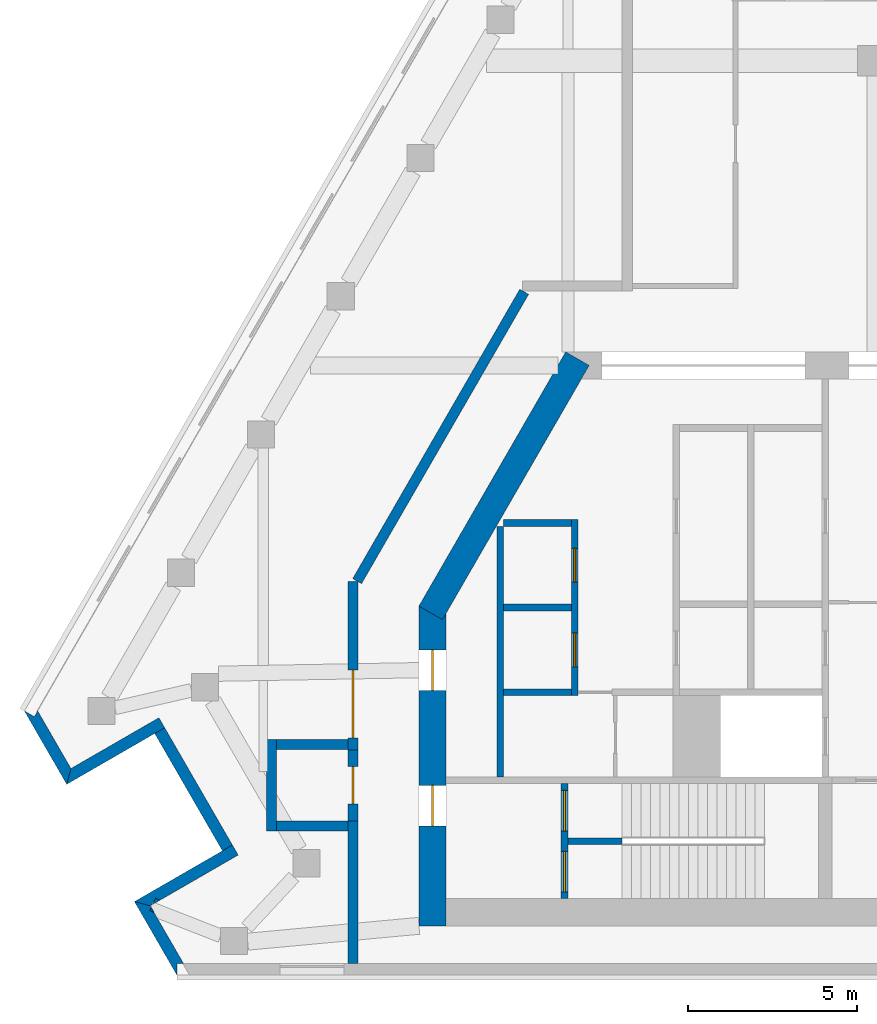
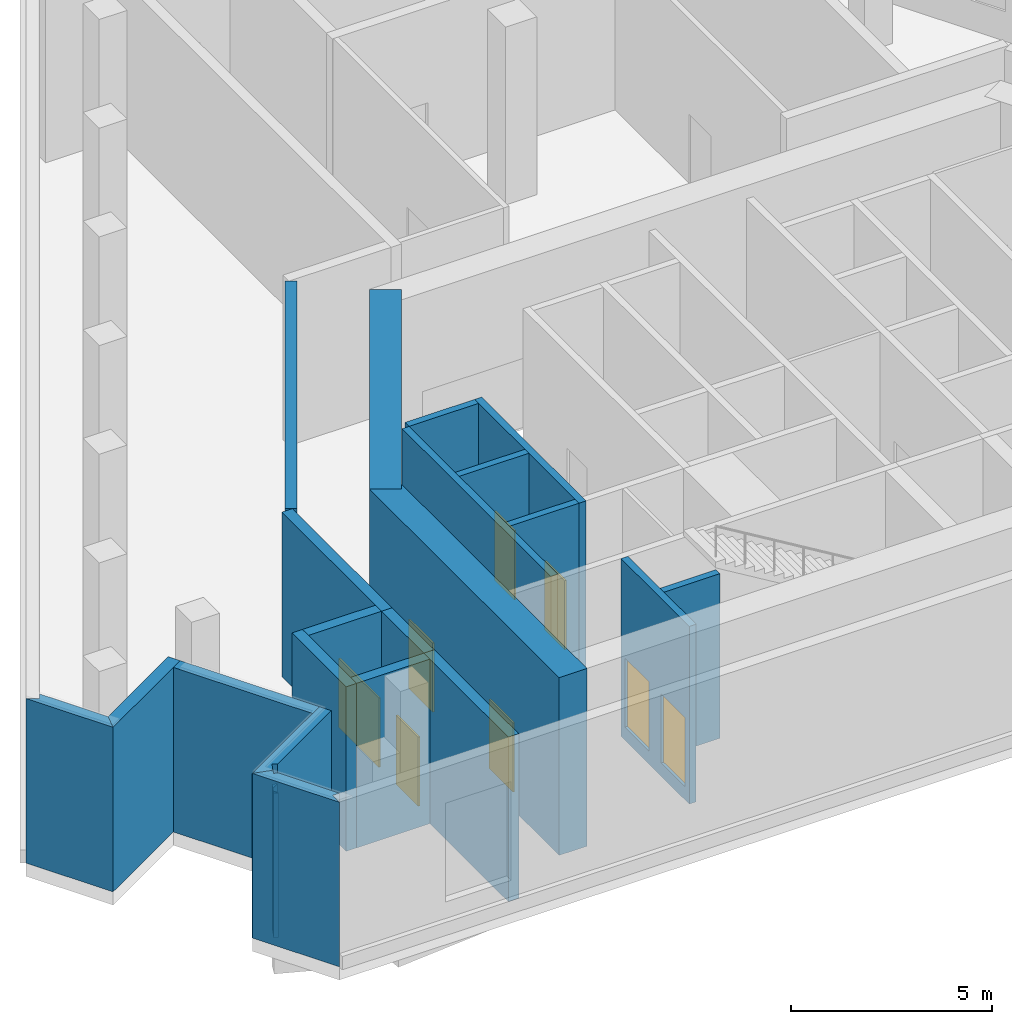
# One storey, part 2 of 8: 23 walls, 8 doors, 8 openings.
"""IFC4 building model written with IfcOpenShell, lengths in metres."""

from ifc_helpers import new_model, si_unit, direction, frame, frame_2d, origin, place, context, subcontext, project, spatial, polyline, rectangle, outline, extrude, material, layer, layer_set, type_object, element, fill, save


model = new_model("IFC4")

# Units and contexts
model_context = context("Model", 3, precision=1e-05, world=origin(), true_north=direction((0.0, 1.0)))
body_context = subcontext(model_context, "Body", "Model", "MODEL_VIEW")
ifc_project = project(units=[si_unit("LENGTHUNIT", "METRE"), si_unit("AREAUNIT", "SQUARE_METRE"), si_unit("VOLUMEUNIT", "CUBIC_METRE"), si_unit("PLANEANGLEUNIT", "RADIAN"), si_unit("MASSUNIT", "GRAM", prefix="KILO")], contexts=[model_context])

# Site, building, storey
site_placement = place(None, origin())
site = spatial("IfcSite", under=ifc_project, at=site_placement, CompositionType="ELEMENT")
building_placement = place(site_placement, origin())
building = spatial("IfcBuilding", under=site, at=building_placement, Name="Fogline Exchange Tower", CompositionType="ELEMENT")
storey_placement = place(building_placement, frame((0.0, 0.0, 304.5)))
storey = spatial("IfcBuildingStorey", under=building, at=storey_placement, Name="L69", CompositionType="ELEMENT", Elevation=304.5)

# Walls
ifc_material_1 = material(Name="Concrete C40", Category="concrete")
ifc_layer_1 = layer(ifc_material_1, 0.199951171875)
ifc_layer_set_1 = layer_set([ifc_layer_1], Name="CW20")
wall_type_1 = type_object("IfcWallType", Name="CW20", PredefinedType="SOLIDWALL", material=ifc_layer_set_1)
wall_1_placement = place(storey_placement, frame((-11.0, 5.85009765625, 0.0), z_axis=(0.0, 0.0, 1.0), x_axis=(0.0, 1.0, 0.0)))
element("IfcWall", 1, at=wall_1_placement, inside=storey, type_object=wall_type_1, Name="Service room wall", PredefinedType="SOLIDWALL", context=body_context, shape_type="SweptSolid", body=[
    extrude(rectangle(XDim=7.39990234375, YDim=0.199951171875, at=frame_2d((3.699951171875, 0.0))), origin(), (0.0, 0.0, 1.0), 5.0),
])
wall_2_placement = place(storey_placement, frame((-10.89990234375, 10.85009765625, 0.0), z_axis=(0.0, 0.0, 1.0), x_axis=(1.0, 0.0, 0.0)))
element("IfcWall", 2, at=wall_2_placement, inside=storey, type_object=wall_type_1, Name="Service room wall", PredefinedType="SOLIDWALL", context=body_context, shape_type="SweptSolid", body=[
    extrude(rectangle(XDim=2.0, YDim=0.199951171875, at=frame_2d((1.0, 0.0))), origin(), (0.0, 0.0, 1.0), 5.0),
])
ifc_layer_2 = layer(ifc_material_1, 0.199951171875)
ifc_layer_set_2 = layer_set([ifc_layer_2], Name="CW20B")
wall_type_2 = type_object("IfcWallType", Name="CW20B", PredefinedType="SOLIDWALL", material=ifc_layer_set_2)
wall_3_placement = place(storey_placement, frame((-9.0, 3.949951171875, 0.0), z_axis=(0.0, 0.0, 1.0), x_axis=(1.0, 0.0, 0.0)))
element("IfcWall", 3, at=wall_3_placement, inside=storey, type_object=wall_type_2, Name="Stair separation wall", PredefinedType="SOLIDWALL", context=body_context, shape_type="SweptSolid", body=[
    extrude(rectangle(XDim=1.60009765625, YDim=0.199951171875, at=frame_2d((0.800048828125, 0.0))), origin(), (0.0, 0.0, 1.0), 5.0),
])

# Wall, openings, doors
ifc_layer_3 = layer(ifc_material_1, 0.199951171875)
ifc_layer_set_3 = layer_set([ifc_layer_3], Name="CW20R")
wall_type_3 = type_object("IfcWallType", Name="CW20R", PredefinedType="SOLIDWALL", material=ifc_layer_set_3)
wall_4_placement = place(storey_placement, frame((-9.10009765625, 2.25, -0.39990234375), z_axis=(0.0, 0.0, 1.0), x_axis=(0.0, 1.0, 0.0)))
wall_4 = element("IfcWall", 4, at=wall_4_placement, inside=storey, type_object=wall_type_3, Name="Stair enclosure wall", PredefinedType="SOLIDWALL", context=body_context, shape_type="SweptSolid", body=[
    extrude(rectangle(XDim=3.39990234375, YDim=0.199951171875, at=frame_2d((1.699951171875, 0.0))), origin(), (0.0, 0.0, 1.0), 5.39990234375),
])
opening_1_placement = place(wall_4_placement, frame((0.199951171875, 0.0, 0.39990234375)))
opening_1 = element("IfcOpeningElement", 5, at=opening_1_placement, cuts=wall_4, Name="Opening L69-C013", PredefinedType="OPENING", context=body_context, shape_type="SweptSolid", body=[
    extrude(rectangle(XDim=1.199951171875, YDim=2.10009765625, at=frame_2d((0.60009765625, 1.050048828125))), frame((0.0, 0.10986328125, 0.0), z_axis=(0.0, -1.0, 0.0), x_axis=(1.0, 0.0, 0.0)), (0.0, 0.0, 1.0), 0.219970703125),
])
opening_2_placement = place(wall_4_placement, frame((2.0, 0.0, 0.39990234375)))
opening_2 = element("IfcOpeningElement", 6, at=opening_2_placement, cuts=wall_4, Name="Opening L69-C025", PredefinedType="OPENING", context=body_context, shape_type="SweptSolid", body=[
    extrude(rectangle(XDim=1.199951171875, YDim=2.10009765625, at=frame_2d((0.60009765625, 1.050048828125))), frame((0.0, 0.10986328125, 0.0), z_axis=(0.0, -1.0, 0.0), x_axis=(1.0, 0.0, 0.0)), (0.0, 0.0, 1.0), 0.219970703125),
])
ifc_material_2 = material(Name="Steel and timber fire door", Category="steel")
door_type_1 = type_object("IfcDoorType", Name="D-ST1", OperationType="SINGLE_SWING_LEFT", PredefinedType="DOOR", material=ifc_material_2)
door_1_placement = place(opening_1_placement, frame((1.199951171875, 0.0, 0.0), z_axis=(0.0, 0.0, 1.0), x_axis=(-1.0, 0.0, 0.0)))
door_1 = element("IfcDoor", 7, at=door_1_placement, inside=storey, type_object=door_type_1, Name="Stair door ST1", OperationType="SINGLE_SWING_RIGHT", OverallHeight=2.10009765625, OverallWidth=1.199951171875, PredefinedType="DOOR", context=body_context, shape_type="SweptSolid", body=[
    extrude(rectangle(XDim=1.199951171875, YDim=2.10009765625, at=frame_2d((0.60009765625, 1.050048828125))), frame((0.0, 0.02490234375, 0.0), z_axis=(0.0, -1.0, 0.0), x_axis=(1.0, 0.0, 0.0)), (0.0, 0.0, 1.0), 0.050048828125),
])
fill(opening_1, door_1)
door_2_placement = place(opening_2_placement, origin())
door_2 = element("IfcDoor", 8, at=door_2_placement, inside=storey, type_object=door_type_1, Name="Stair arrival door ST1", OperationType="SINGLE_SWING_RIGHT", OverallHeight=2.10009765625, OverallWidth=1.199951171875, PredefinedType="DOOR", context=body_context, shape_type="SweptSolid", body=[
    extrude(rectangle(XDim=1.199951171875, YDim=2.10009765625, at=frame_2d((0.60009765625, 1.050048828125))), frame((0.0, 0.02490234375, 0.0), z_axis=(0.0, -1.0, 0.0), x_axis=(1.0, 0.0, 0.0)), (0.0, 0.0, 1.0), 0.050048828125),
])
fill(opening_2, door_2)

ifc_layer_4 = layer(ifc_material_1, 0.199951171875)
ifc_layer_set_4 = layer_set([ifc_layer_4], Name="CW20S")
wall_type_4 = type_object("IfcWallType", Name="CW20S", PredefinedType="SOLIDWALL", material=ifc_layer_set_4)
wall_5_placement = place(storey_placement, frame((-8.800048828125, 8.25, -0.39990234375), z_axis=(0.0, 0.0, 1.0), x_axis=(0.0, 1.0, 0.0)))
wall_5 = element("IfcWall", 9, at=wall_5_placement, inside=storey, type_object=wall_type_4, Name="Lift shaft wall", PredefinedType="SOLIDWALL", context=body_context, shape_type="SweptSolid", body=[
    extrude(rectangle(XDim=5.199951171875, YDim=0.199951171875, at=frame_2d((2.60009765625, 0.0))), origin(), (0.0, 0.0, 1.0), 5.39990234375),
])
opening_3_placement = place(wall_5_placement, frame((0.85009765625, 0.0, 0.39990234375)))
opening_3 = element("IfcOpeningElement", 10, at=opening_3_placement, cuts=wall_5, Name="Opening L69-C001", PredefinedType="OPENING", context=body_context, shape_type="SweptSolid", body=[
    extrude(rectangle(XDim=1.0, YDim=2.10009765625, at=frame_2d((0.5, 1.050048828125))), frame((0.0, 0.10986328125, 0.0), z_axis=(0.0, -1.0, 0.0), x_axis=(1.0, 0.0, 0.0)), (0.0, 0.0, 1.0), 0.219970703125),
])
opening_4_placement = place(wall_5_placement, frame((3.35009765625, 0.0, 0.39990234375)))
opening_4 = element("IfcOpeningElement", 11, at=opening_4_placement, cuts=wall_5, Name="Opening L69-C002", PredefinedType="OPENING", context=body_context, shape_type="SweptSolid", body=[
    extrude(rectangle(XDim=1.0, YDim=2.10009765625, at=frame_2d((0.5, 1.050048828125))), frame((0.0, 0.10986328125, 0.0), z_axis=(0.0, -1.0, 0.0), x_axis=(1.0, 0.0, 0.0)), (0.0, 0.0, 1.0), 0.219970703125),
])
door_type_2 = type_object("IfcDoorType", Name="D-RM1", OperationType="SINGLE_SWING_LEFT", PredefinedType="DOOR", material=ifc_material_2)
door_3_placement = place(opening_3_placement, origin())
door_3 = element("IfcDoor", 12, at=door_3_placement, inside=storey, type_object=door_type_2, Name="Door to AHU Room", OperationType="SINGLE_SWING_RIGHT", OverallHeight=2.10009765625, OverallWidth=1.0, PredefinedType="DOOR", context=body_context, shape_type="SweptSolid", body=[
    extrude(rectangle(XDim=1.0, YDim=2.10009765625, at=frame_2d((0.5, 1.050048828125))), frame((0.0, 0.02490234375, 0.0), z_axis=(0.0, -1.0, 0.0), x_axis=(1.0, 0.0, 0.0)), (0.0, 0.0, 1.0), 0.050048828125),
])
fill(opening_3, door_3)
door_4_placement = place(opening_4_placement, origin())
door_4 = element("IfcDoor", 13, at=door_4_placement, inside=storey, type_object=door_type_2, Name="Door to Transformer Room", OperationType="SINGLE_SWING_RIGHT", OverallHeight=2.10009765625, OverallWidth=1.0, PredefinedType="DOOR", context=body_context, shape_type="SweptSolid", body=[
    extrude(rectangle(XDim=1.0, YDim=2.10009765625, at=frame_2d((0.5, 1.050048828125))), frame((0.0, 0.02490234375, 0.0), z_axis=(0.0, -1.0, 0.0), x_axis=(1.0, 0.0, 0.0)), (0.0, 0.0, 1.0), 0.050048828125),
])
fill(opening_4, door_4)

# Walls
for number, where, z_axis, x_axis, name in (
    (14, (-10.89990234375, 8.35009765625, -0.39990234375), (0.0, 0.0, 1.0), (1.0, 0.0, 0.0), "Lift shaft wall"),
    (15, (-10.89990234375, 13.35009765625, -0.39990234375), (0.0, 0.0, 1.0), (1.0, 0.0, 0.0), "Lift shaft wall"),
):
    element("IfcWall", number, at=place(storey_placement, frame(where, z_axis=z_axis, x_axis=x_axis)), inside=storey, type_object=wall_type_4, Name=name, PredefinedType="SOLIDWALL", context=body_context, shape_type="SweptSolid", body=[
        extrude(rectangle(XDim=2.0, YDim=0.199951171875, at=frame_2d((1.0, 0.0))), origin(), (0.0, 0.0, 1.0), 5.39990234375),
    ])
ifc_material_3 = material(Name="Brick masonry", Category="masonry")
ifc_layer_5 = layer(ifc_material_3, 0.340087890625)
ifc_layer_set_5 = layer_set([ifc_layer_5], Name="FW3")
wall_type_5 = type_object("IfcWallType", Name="FW3", PredefinedType="SOLIDWALL", material=ifc_layer_set_5)
wall_6_placement = place(storey_placement, origin())
element("IfcWall", 16, at=wall_6_placement, inside=storey, type_object=wall_type_5, Name="Brick wall L69 SW-c1", PredefinedType="SOLIDWALL", context=body_context, shape_type="SweptSolid", body=[
    extrude(outline(polyline([(-23.80224609375, 5.6279296875), (-25.05322265625, 7.794921875), (-25.052734375, 7.79541015625), (-24.758056640625, 7.625), (-24.65966796875, 7.79541015625), (-23.677001953125, 6.09375), (-23.8017578125, 5.6279296875), (-23.80224609375, 5.6279296875)])), origin(), (0.0, 0.0, 1.0), 5.0),
])
wall_7_placement = place(storey_placement, origin())
element("IfcWall", 17, at=wall_7_placement, inside=storey, type_object=wall_type_5, Name="Brick wall L69 SW-s1", PredefinedType="SOLIDWALL", context=body_context, shape_type="SweptSolid", body=[
    extrude(outline(polyline([(-21.079345703125, 7.594482421875), (-20.908935546875, 7.298828125), (-21.203857421875, 7.128662109375), (-23.802734375, 5.628173828125), (-23.802978515625, 5.62841796875), (-23.67822265625, 6.093994140625), (-21.079345703125, 7.594482421875)])), origin(), (0.0, 0.0, 1.0), 5.0),
])
wall_8_placement = place(storey_placement, frame((-21.056884765625, 7.214111328125, 0.0), z_axis=(0.0, 0.0, 1.0), x_axis=(0.49999894854, -0.866026010844, 0.0)))
element("IfcWall", 18, at=wall_8_placement, inside=storey, type_object=wall_type_5, Name="Brick wall L69 SW-bk", PredefinedType="SOLIDWALL", context=body_context, shape_type="SweptSolid", body=[
    extrude(rectangle(XDim=4.0, YDim=0.340087890625, at=frame_2d((2.0, 0.0))), origin(), (0.0, 0.0, 1.0), 5.0),
])
wall_9_placement = place(storey_placement, origin())
element("IfcWall", 19, at=wall_9_placement, inside=storey, type_object=wall_type_5, Name="Brick wall L69 SW-s2", PredefinedType="SOLIDWALL", context=body_context, shape_type="SweptSolid", body=[
    extrude(outline(polyline([(-21.26123046875, 2.083984375), (-21.1787109375, 2.267333984375), (-21.046875, 2.207763671875), (-21.26123046875, 2.083984375)])), origin(), (0.0, 0.0, 1.0), 4.39990234375),
])
wall_10_placement = place(storey_placement, origin())
element("IfcWall", 20, at=wall_10_placement, inside=storey, type_object=wall_type_5, Name="Brick wall L69 SW-s2", PredefinedType="SOLIDWALL", context=body_context, shape_type="SweptSolid", body=[
    extrude(outline(polyline([(-19.204345703125, 3.66552734375), (-18.909423828125, 3.8359375), (-18.73876953125, 3.540283203125), (-21.046875, 2.207763671875), (-21.1787109375, 2.267333984375), (-21.26123046875, 2.083984375), (-21.337646484375, 2.0400390625), (-21.803466796875, 2.164794921875), (-21.803466796875, 2.1650390625), (-19.204345703125, 3.66552734375)])), origin(), (0.0, 0.0, 1.0), 5.0),
])
wall_11_placement = place(storey_placement, origin())
element("IfcWall", 21, at=wall_11_placement, inside=storey, type_object=wall_type_5, Name="Brick wall L69 SW-c2", PredefinedType="SOLIDWALL", context=body_context, shape_type="SweptSolid", body=[
    extrude(outline(polyline([(-21.227294921875, 1.850341796875), (-21.34326171875, 1.90283203125), (-21.3056640625, 1.986083984375), (-21.227294921875, 1.850341796875)])), origin(), (0.0, 0.0, 1.0), 4.39990234375),
])
wall_12_placement = place(storey_placement, origin())
element("IfcWall", 22, at=wall_12_placement, inside=storey, type_object=wall_type_5, Name="Brick wall L69 SW-c2", PredefinedType="SOLIDWALL", context=body_context, shape_type="SweptSolid", body=[
    extrude(outline(polyline([(-20.551513671875, 0.33935546875), (-20.551513671875, -0.0009765625), (-20.55224609375, -0.001220703125), (-21.80322265625, 2.165771484375), (-21.802978515625, 2.166015625), (-21.33740234375, 2.041015625), (-21.3056640625, 1.986083984375), (-21.34326171875, 1.90283203125), (-21.227294921875, 1.850341796875), (-20.354736328125, 0.33935546875), (-20.551513671875, 0.33935546875)])), origin(), (0.0, 0.0, 1.0), 5.0),
])
ifc_layer_6 = layer(ifc_material_1, 0.300048828125)
ifc_layer_set_6 = layer_set([ifc_layer_6], Name="PP4")
wall_type_6 = type_object("IfcWallType", Name="PP4", PredefinedType="SOLIDWALL", material=ifc_layer_set_6)
wall_13_placement = place(storey_placement, frame((-15.22607421875, 11.62890625, 0.0), z_axis=(0.0, 0.0, 1.0), x_axis=(0.50000302904, 0.86602365496, 0.0)))
element("IfcWall", 23, at=wall_13_placement, inside=storey, type_object=wall_type_6, Name="PP4 partition", PredefinedType="SOLIDWALL", context=body_context, shape_type="SweptSolid", body=[
    extrude(rectangle(XDim=9.8671875, YDim=0.300048828125, at=frame_2d((4.93359375, 0.0))), origin(), (0.0, 0.0, 1.0), 5.0),
])

# Wall, opening, door
wall_14_placement = place(storey_placement, frame((-15.35009765625, 6.64990234375, 0.0), z_axis=(0.0, 0.0, 1.0), x_axis=(0.0, 1.0, 0.0)))
wall_14 = element("IfcWall", 24, at=wall_14_placement, inside=storey, type_object=wall_type_6, Name="PP4 partition", PredefinedType="SOLIDWALL", context=body_context, shape_type="SweptSolid", body=[
    extrude(rectangle(XDim=4.964111328125, YDim=0.300048828125, at=frame_2d((2.48193359375, 0.0))), origin(), (0.0, 0.0, 1.0), 5.0),
])
opening_5_placement = place(wall_14_placement, frame((0.35009765625, 0.0, 0.0)))
opening_5 = element("IfcOpeningElement", 25, at=opening_5_placement, cuts=wall_14, Name="Opening L69-D006", PredefinedType="OPENING", context=body_context, shape_type="SweptSolid", body=[
    extrude(rectangle(XDim=2.0, YDim=2.10009765625, at=frame_2d((1.0, 1.050048828125))), frame((0.0, 0.16015625, 0.0), z_axis=(0.0, -1.0, 0.0), x_axis=(1.0, 0.0, 0.0)), (0.0, 0.0, 1.0), 0.320068359375),
])
ifc_material_4 = material(Name="Steel Q235B", Category="steel")
door_type_3 = type_object("IfcDoorType", Name="PD6", OperationType="DOUBLE_DOOR_SINGLE_SWING", PredefinedType="DOOR", material=ifc_material_4)
door_5_placement = place(opening_5_placement, frame((2.0, 0.0, 0.0), z_axis=(0.0, 0.0, 1.0), x_axis=(-1.0, 0.0, 0.0)))
door_5 = element("IfcDoor", 26, at=door_5_placement, inside=storey, type_object=door_type_3, Name="L69-D006", OperationType="DOUBLE_DOOR_SINGLE_SWING", OverallHeight=2.10009765625, OverallWidth=2.0, PredefinedType="DOOR", context=body_context, shape_type="SweptSolid", body=[
    extrude(rectangle(XDim=2.0, YDim=2.10009765625, at=frame_2d((1.0, 1.050048828125))), frame((0.0, 0.02490234375, 0.0), z_axis=(0.0, -1.0, 0.0), x_axis=(1.0, 0.0, 0.0)), (0.0, 0.0, 1.0), 0.050048828125),
])
fill(opening_5, door_5)

# Walls
wall_15_placement = place(storey_placement, frame((-15.35009765625, 0.340087890625, 0.0), z_axis=(0.0, 0.0, 1.0), x_axis=(0.0, 1.0, 0.0)))
element("IfcWall", 27, at=wall_15_placement, inside=storey, type_object=wall_type_6, Name="PP4 partition", PredefinedType="SOLIDWALL", context=body_context, shape_type="SweptSolid", body=[
    extrude(rectangle(XDim=4.2099609375, YDim=0.300048828125, at=frame_2d((2.10498046875, 0.0))), origin(), (0.0, 0.0, 1.0), 5.0),
])
wall_16_placement = place(storey_placement, frame((-17.75, 4.25, 0.0), z_axis=(0.0, 0.0, 1.0), x_axis=(0.0, 1.0, 0.0)))
element("IfcWall", 28, at=wall_16_placement, inside=storey, type_object=wall_type_6, Name="PP4 partition", PredefinedType="SOLIDWALL", context=body_context, shape_type="SweptSolid", body=[
    extrude(rectangle(XDim=2.699951171875, YDim=0.300048828125, at=frame_2d((1.35009765625, 0.0))), origin(), (0.0, 0.0, 1.0), 5.0),
])
wall_17_placement = place(storey_placement, frame((-15.5, 4.39990234375, 0.0), z_axis=(0.0, 0.0, 1.0), x_axis=(-1.0, 0.0, 0.0)))
element("IfcWall", 29, at=wall_17_placement, inside=storey, type_object=wall_type_6, Name="PP4 partition", PredefinedType="SOLIDWALL", context=body_context, shape_type="SweptSolid", body=[
    extrude(rectangle(XDim=2.10009765625, YDim=0.300048828125, at=frame_2d((1.050048828125, 0.0))), origin(), (0.0, 0.0, 1.0), 5.0),
])

# Wall, opening, door
wall_18_placement = place(storey_placement, frame((-15.35009765625, 4.550048828125, 0.0), z_axis=(0.0, 0.0, 1.0), x_axis=(0.0, 1.0, 0.0)))
wall_18 = element("IfcWall", 30, at=wall_18_placement, inside=storey, type_object=wall_type_6, Name="PP4 partition", PredefinedType="SOLIDWALL", context=body_context, shape_type="SweptSolid", body=[
    extrude(rectangle(XDim=2.099853515625, YDim=0.300048828125, at=frame_2d((1.0498046875, 0.0))), origin(), (0.0, 0.0, 1.0), 5.0),
])
opening_6_placement = place(wall_18_placement, frame((0.5, 0.0, 0.0)))
opening_6 = element("IfcOpeningElement", 31, at=opening_6_placement, cuts=wall_18, Name="Opening L69-D001", PredefinedType="OPENING", context=body_context, shape_type="SweptSolid", body=[
    extrude(rectangle(XDim=1.10009765625, YDim=2.10009765625, at=frame_2d((0.550048828125, 1.050048828125))), frame((0.0, 0.16015625, 0.0), z_axis=(0.0, -1.0, 0.0), x_axis=(1.0, 0.0, 0.0)), (0.0, 0.0, 1.0), 0.320068359375),
])
door_type_4 = type_object("IfcDoorType", Name="PD5", OperationType="SINGLE_SWING_LEFT", PredefinedType="DOOR", material=ifc_material_4)
door_6_placement = place(opening_6_placement, origin())
door_6 = element("IfcDoor", 32, at=door_6_placement, inside=storey, type_object=door_type_4, Name="L69-D001", OperationType="SINGLE_SWING_LEFT", OverallHeight=2.10009765625, OverallWidth=1.10009765625, PredefinedType="DOOR", context=body_context, shape_type="SweptSolid", body=[
    extrude(rectangle(XDim=1.10009765625, YDim=2.10009765625, at=frame_2d((0.550048828125, 1.050048828125))), frame((0.0, 0.02490234375, 0.0), z_axis=(0.0, -1.0, 0.0), x_axis=(1.0, 0.0, 0.0)), (0.0, 0.0, 1.0), 0.050048828125),
])
fill(opening_6, door_6)

# Walls
wall_19_placement = place(storey_placement, frame((-17.60009765625, 6.800048828125, 0.0), z_axis=(0.0, 0.0, 1.0), x_axis=(1.0, 0.0, 0.0)))
element("IfcWall", 33, at=wall_19_placement, inside=storey, type_object=wall_type_6, Name="PP4 partition", PredefinedType="SOLIDWALL", context=body_context, shape_type="SweptSolid", body=[
    extrude(rectangle(XDim=2.10009765625, YDim=0.300048828125, at=frame_2d((1.050048828125, 0.0))), origin(), (0.0, 0.0, 1.0), 5.0),
])
ifc_material_5 = material(Name="Concrete C50", Category="concrete")
ifc_layer_7 = layer(ifc_material_5, 0.800048828125)
ifc_layer_set_7 = layer_set([ifc_layer_7], Name="SW04")
wall_type_7 = type_object("IfcWallType", Name="SW04", PredefinedType="SHEAR", material=ifc_layer_set_7)
wall_20_placement = place(storey_placement, frame((-8.71875, 18.199951171875, 0.0), z_axis=(0.0, 0.0, 1.0), x_axis=(-0.500015780397, -0.866016292776, 0.0)))
element("IfcWall", 34, at=wall_20_placement, inside=storey, type_object=wall_type_7, Name="L69-W905", PredefinedType="SHEAR", context=body_context, shape_type="SweptSolid", body=[
    extrude(rectangle(XDim=8.669677734375, YDim=0.800048828125, at=frame_2d((4.3349609375, 0.0))), origin(), (0.0, 0.0, 1.0), 5.39990234375),
])

# Wall, openings, doors
wall_21_placement = place(storey_placement, frame((-13.0, 10.891845703125, 0.0), z_axis=(0.0, 0.0, 1.0), x_axis=(0.0, -1.0, 0.0)))
wall_21 = element("IfcWall", 35, at=wall_21_placement, inside=storey, type_object=wall_type_7, Name="L69-W906", PredefinedType="SHEAR", context=body_context, shape_type="SweptSolid", body=[
    extrude(rectangle(XDim=9.44189453125, YDim=0.800048828125, at=frame_2d((4.720947265625, 0.0))), origin(), (0.0, 0.0, 1.0), 5.39990234375),
])
opening_7_placement = place(wall_21_placement, frame((5.291748046875, 0.0, 0.0)))
opening_7 = element("IfcOpeningElement", 36, at=opening_7_placement, cuts=wall_21, Name="Opening L69-C012", PredefinedType="OPENING", context=body_context, shape_type="SweptSolid", body=[
    extrude(rectangle(XDim=1.199951171875, YDim=2.10009765625, at=frame_2d((0.60009765625, 1.050048828125))), frame((0.0, 0.41015625, 0.0), z_axis=(0.0, -1.0, 0.0), x_axis=(1.0, 0.0, 0.0)), (0.0, 0.0, 1.0), 0.820068359375),
])
opening_8_placement = place(wall_21_placement, frame((1.291748046875, 0.0, 0.0)))
opening_8 = element("IfcOpeningElement", 37, at=opening_8_placement, cuts=wall_21, Name="Opening L69-C014", PredefinedType="OPENING", context=body_context, shape_type="SweptSolid", body=[
    extrude(rectangle(XDim=1.199951171875, YDim=2.10009765625, at=frame_2d((0.60009765625, 1.050048828125))), frame((0.0, 0.41015625, 0.0), z_axis=(0.0, -1.0, 0.0), x_axis=(1.0, 0.0, 0.0)), (0.0, 0.0, 1.0), 0.820068359375),
])
door_type_5 = type_object("IfcDoorType", Name="D-FR1", OperationType="SINGLE_SWING_RIGHT", PredefinedType="DOOR", material=ifc_material_2)
door_7_placement = place(opening_7_placement, origin())
door_7 = element("IfcDoor", 38, at=door_7_placement, inside=storey, type_object=door_type_5, Name="Front room door ST1", OperationType="SINGLE_SWING_LEFT", OverallHeight=2.10009765625, OverallWidth=1.199951171875, PredefinedType="DOOR", context=body_context, shape_type="SweptSolid", body=[
    extrude(rectangle(XDim=1.199951171875, YDim=2.10009765625, at=frame_2d((0.60009765625, 1.050048828125))), frame((0.0, 0.02490234375, 0.0), z_axis=(0.0, -1.0, 0.0), x_axis=(1.0, 0.0, 0.0)), (0.0, 0.0, 1.0), 0.050048828125),
])
fill(opening_7, door_7)
door_type_6 = type_object("IfcDoorType", Name="D-SV1", OperationType="SINGLE_SWING_LEFT", PredefinedType="DOOR", material=ifc_material_2)
door_8_placement = place(opening_8_placement, origin())
door_8 = element("IfcDoor", 39, at=door_8_placement, inside=storey, type_object=door_type_6, Name="Service door W", OperationType="SINGLE_SWING_LEFT", OverallHeight=2.10009765625, OverallWidth=1.199951171875, PredefinedType="DOOR", context=body_context, shape_type="SweptSolid", body=[
    extrude(rectangle(XDim=1.199951171875, YDim=2.10009765625, at=frame_2d((0.60009765625, 1.050048828125))), frame((0.0, 0.02490234375, 0.0), z_axis=(0.0, -1.0, 0.0), x_axis=(1.0, 0.0, 0.0)), (0.0, 0.0, 1.0), 0.050048828125),
])
fill(opening_8, door_8)

save(model, "model.ifc")
